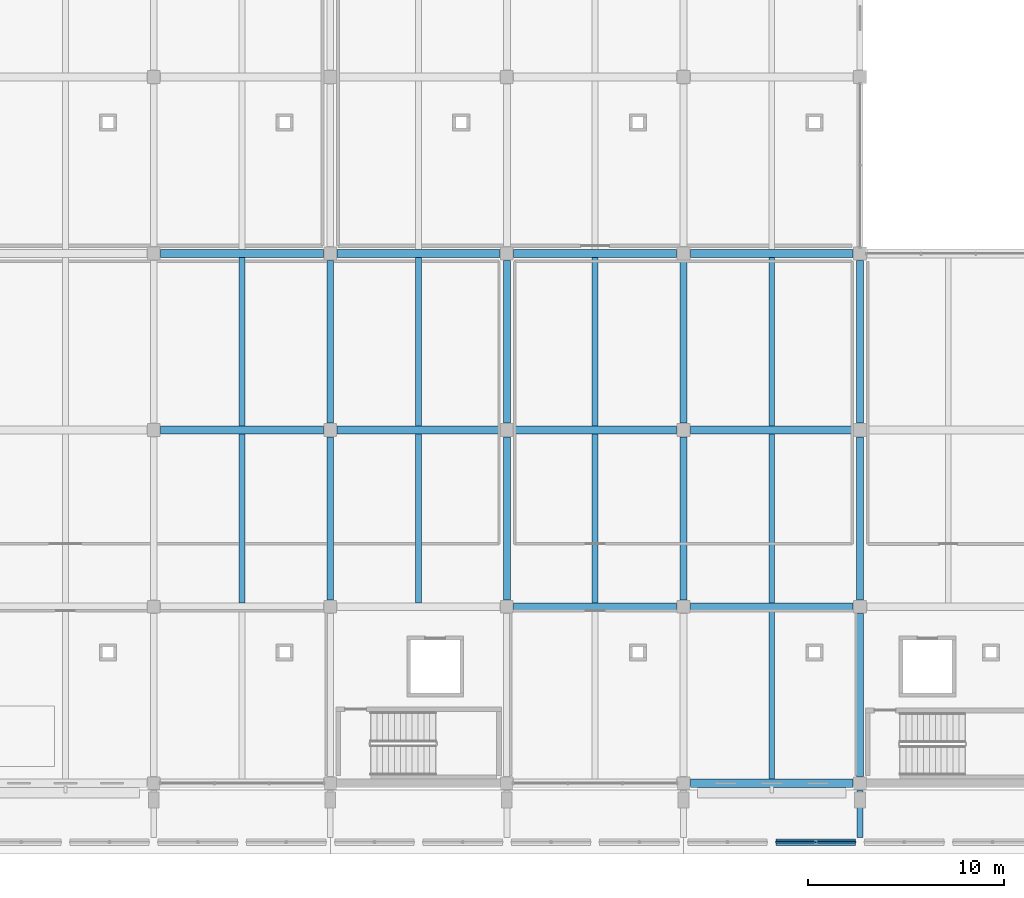
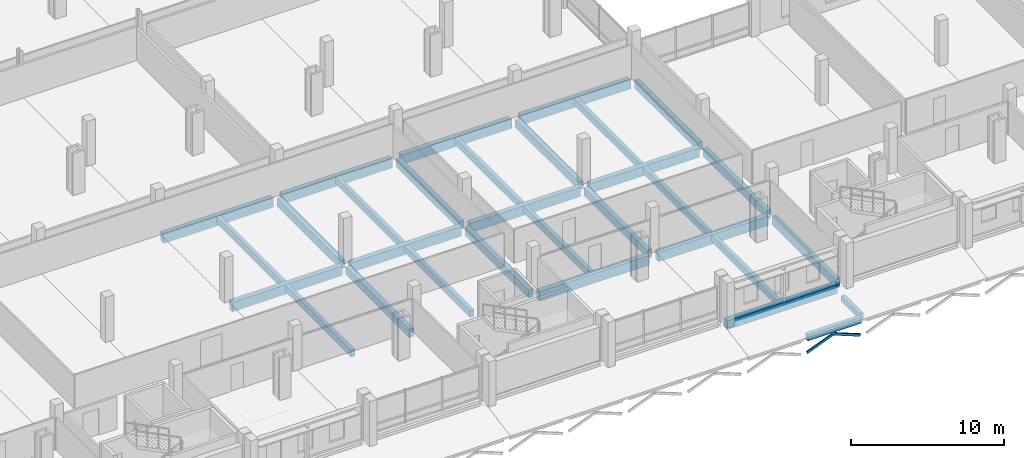
# One storey, part 33 of 132: 31 beams, 2 members.
"""IFC4 building model written with IfcOpenShell, lengths in metres."""

import ifcopenshell
import ifcopenshell.guid

model = None  # the IFC model being written
_history = None  # IfcOwnerHistory: only IFC2X3 demands one
_inside = {}  # id of a spatial element -> (the spatial element, [elements in it])
_under = {}  # id of a project, library or spatial element -> (it, [spatial elements below it])
_declared = {}  # id of a project -> (the project, [libraries it declares])
_typed = {}  # id of a type object -> (the type object, [elements of that type])
_made_of = {}  # id of a material, layer set ... -> (it, [elements and type objects made of it])


def new_model(schema):
    """Start an empty IFC model of exactly this schema.

    Asked for "IFC4X3", IfcOpenShell would pick the latest addendum, in which some entities
    have other attributes; the version numbers below select the first issue.
    IFC2X3 requires an IfcOwnerHistory on every rooted entity: one is made here for all.
    """
    global model, _history
    if schema == "IFC4X3":
        model = ifcopenshell.file(schema_version=(4, 3, 0, 0))
    else:
        model = ifcopenshell.file(schema=schema)
    _inside.clear()
    _under.clear()
    _declared.clear()
    _typed.clear()
    _made_of.clear()
    _history = None
    if model.schema == "IFC2X3":
        org = make("IfcOrganization", Name="unknown")
        user = make(
            "IfcPersonAndOrganization",
            ThePerson=make("IfcPerson", FamilyName="unknown"),
            TheOrganization=org,
        )
        app = make(
            "IfcApplication",
            ApplicationDeveloper=org,
            Version="unknown",
            ApplicationFullName="unknown",
            ApplicationIdentifier="unknown",
        )
        _history = make(
            "IfcOwnerHistory",
            OwningUser=user,
            OwningApplication=app,
            ChangeAction="ADDED",
            CreationDate=0,
        )
    return model


def make(cls, **values):
    """One entity of the class cls with the attributes given. An attribute that is None is left unset."""
    return model.create_entity(
        cls, **{name: value for name, value in values.items() if value is not None}
    )


def rooted(cls, **values):
    """An entity with a GlobalId (a new one), such as an element, a storey or a relation."""
    return make(cls, GlobalId=ifcopenshell.guid.new(), OwnerHistory=_history, **values)


def si_unit(unit_type, name, prefix=None):
    """IfcSIUnit, for example si_unit("LENGTHUNIT", "METRE", prefix="MILLI")."""
    return make("IfcSIUnit", UnitType=unit_type, Prefix=prefix, Name=name)


def assignment(units):
    """IfcUnitAssignment: the units of a project."""
    return None if units is None else make("IfcUnitAssignment", Units=units)


def point(xyz):
    """IfcCartesianPoint."""
    return None if xyz is None else make("IfcCartesianPoint", Coordinates=xyz)


def direction(xyz):
    """IfcDirection."""
    return None if xyz is None else make("IfcDirection", DirectionRatios=xyz)


def frame(location, z_axis=None, x_axis=None):
    """IfcAxis2Placement3D, a coordinate frame: its origin and axes. An axis left out is left unset."""
    return make(
        "IfcAxis2Placement3D",
        Location=point(location),
        Axis=direction(z_axis),
        RefDirection=direction(x_axis),
    )


def frame_2d(location, x_axis=None):
    """IfcAxis2Placement2D, a coordinate frame in the plane: its origin and x axis."""
    return make(
        "IfcAxis2Placement2D", Location=point(location), RefDirection=direction(x_axis)
    )


def origin():
    """The frame at (0, 0, 0) with its axes left unset."""
    return frame((0.0, 0.0, 0.0))


def origin_2d():
    """The frame at (0, 0) in the plane with its x axis left unset."""
    return frame_2d((0.0, 0.0))


def place(relative_to, where):
    """IfcLocalPlacement: puts the frame where relative to a parent placement (None: the world)."""
    return make(
        "IfcLocalPlacement", PlacementRelTo=relative_to, RelativePlacement=where
    )


def context(
    kind, dimensions, precision=None, world=None, true_north=None, identifier=None
):
    """IfcGeometricRepresentationContext, for example the 3D "Model" context."""
    return make(
        "IfcGeometricRepresentationContext",
        ContextIdentifier=identifier,
        ContextType=kind,
        CoordinateSpaceDimension=dimensions,
        Precision=precision,
        WorldCoordinateSystem=world,
        TrueNorth=true_north,
    )


def subcontext(parent, identifier, kind, view, scale=None):
    """IfcGeometricRepresentationSubContext, for example "Body" below "Model"."""
    return make(
        "IfcGeometricRepresentationSubContext",
        ContextIdentifier=identifier,
        ContextType=kind,
        ParentContext=parent,
        TargetScale=scale,
        TargetView=view,
    )


def project(units=None, contexts=None):
    """IfcProject with its units and contexts."""
    return rooted(
        "IfcProject",
        Name="project",
        RepresentationContexts=contexts,
        UnitsInContext=assignment(units),
    )


def spatial(cls, under=None, at=None, **own):
    """A site, building, storey or space (cls), placed at a placement, below another one or the project."""
    s = rooted(cls, ObjectPlacement=at, **own)
    if under is not None:
        _under.setdefault(under.id(), (under, []))[1].append(s)
    return s


def profile(cls, at=None, kind="AREA", **sizes):
    """A parametric profile (cls). Its sizes go by their IFC names, for example OverallWidth=200.0."""
    return make(cls, ProfileType=kind, Position=at, **sizes)


def rectangle(**sizes):
    """IfcRectangleProfileDef."""
    return profile("IfcRectangleProfileDef", **sizes)


def hollow_rectangle(**sizes):
    """IfcRectangleHollowProfileDef."""
    return profile("IfcRectangleHollowProfileDef", **sizes)


def extrude(swept, where, along, depth):
    """IfcExtrudedAreaSolid: the profile swept, set in the frame where, extruded along a direction by depth."""
    return make(
        "IfcExtrudedAreaSolid",
        SweptArea=swept,
        Position=where,
        ExtrudedDirection=direction(along),
        Depth=depth,
    )


def shape(context_of_items, identifier, shape_type, items):
    """IfcShapeRepresentation: the items that make up one representation, for example the "Body"."""
    return make(
        "IfcShapeRepresentation",
        ContextOfItems=context_of_items,
        RepresentationIdentifier=identifier,
        RepresentationType=shape_type,
        Items=items,
    )


def material(Name=None, Category=None):
    """IfcMaterial."""
    return make("IfcMaterial", Name=Name, Category=Category)


def material_profile(
    of_material, cross_section, Name=None, Category=None, Priority=None
):
    """IfcMaterialProfile: a cross section and its material."""
    return make(
        "IfcMaterialProfile",
        Name=Name,
        Material=of_material,
        Profile=cross_section,
        Priority=Priority,
        Category=Category,
    )


def profile_set(profiles, Name=None, composite=None):
    """IfcMaterialProfileSet."""
    return make(
        "IfcMaterialProfileSet",
        Name=Name,
        MaterialProfiles=profiles,
        CompositeProfile=composite,
    )


def made_of(thing, what):
    """Note that an element or type object is made of a material, layer set ...; save() writes the relation."""
    if what is not None:
        _made_of.setdefault(what.id(), (what, []))[1].append(thing)
    return thing


def type_object(cls, material=None, **own):
    """A type object (cls), such as IfcWallType, which elements share."""
    return made_of(rooted(cls, **own), material)


def element(
    cls,
    number,
    at=None,
    inside=None,
    cuts=None,
    type_object=None,
    material=None,
    context=None,
    identifier="Body",
    shape_type=None,
    held_by="IfcProductDefinitionShape",
    body=None,
    shapes=None,
    **own,
):
    """One element of the class cls, such as IfcWall. Its Tag is "e" and its number.

    at: its placement. inside: the storey or other place that contains it. cuts: it is an
    opening in that element (IfcRelVoidsElement). A single representation is given by context,
    identifier, shape_type and body (its items); several are given by shapes. held_by: the class
    of the entity that holds the representations. save() writes the other relations.
    """
    e = rooted(cls, Tag="e%d" % number, ObjectPlacement=at, **own)
    if body is not None:
        shapes = [shape(context, identifier, shape_type, body)]
    if shapes is not None:
        e.Representation = make(held_by, Representations=shapes)
    if inside is not None:
        _inside.setdefault(inside.id(), (inside, []))[1].append(e)
    if cuts is not None:
        rooted(
            "IfcRelVoidsElement", RelatingBuildingElement=cuts, RelatedOpeningElement=e
        )
    if type_object is not None:
        _typed.setdefault(type_object.id(), (type_object, []))[1].append(e)
    return made_of(e, material)


def aggregate(whole, parts):
    """IfcRelAggregates: a whole, such as a stair, and the parts it consists of."""
    return rooted("IfcRelAggregates", RelatingObject=whole, RelatedObjects=parts)


def save(model, path):
    """Write the relations noted so far, then the file.

    IfcRelAggregates (storeys below a building ...), IfcRelContainedInSpatialStructure (elements
    in a storey), IfcRelDefinesByType, IfcRelAssociatesMaterial and IfcRelDeclares: one each for
    every whole, place, type object, material and project.
    """
    for whole, parts in _under.values():
        aggregate(whole, parts)
    for where, things in _inside.values():
        rooted(
            "IfcRelContainedInSpatialStructure",
            RelatedElements=things,
            RelatingStructure=where,
        )
    for kind, things in _typed.values():
        rooted("IfcRelDefinesByType", RelatedObjects=things, RelatingType=kind)
    for what, things in _made_of.values():
        rooted("IfcRelAssociatesMaterial", RelatedObjects=things, RelatingMaterial=what)
    for by, libraries in _declared.values():
        rooted("IfcRelDeclares", RelatingContext=by, RelatedDefinitions=libraries)
    model.write(path)


model = new_model("IFC4")

# Units and contexts
model_context = context("Model", 3, precision=1e-05, world=origin(), true_north=direction((0.0, 1.0)))
body_context = subcontext(model_context, "Body", "Model", "MODEL_VIEW")
ifc_project = project(units=[si_unit("LENGTHUNIT", "METRE"), si_unit("AREAUNIT", "SQUARE_METRE"), si_unit("VOLUMEUNIT", "CUBIC_METRE"), si_unit("PLANEANGLEUNIT", "RADIAN"), si_unit("MASSUNIT", "GRAM", prefix="KILO")], contexts=[model_context])

# Site, building, storey
site_placement = place(None, origin())
site = spatial("IfcSite", under=ifc_project, at=site_placement, CompositionType="ELEMENT")
building_placement = place(site_placement, origin())
building = spatial("IfcBuilding", under=site, at=building_placement, Name="Tharagai Park Tramway Depot", CompositionType="ELEMENT")
storey_placement = place(building_placement, frame((0.0, 0.0, 4.800048828125)))
storey = spatial("IfcBuildingStorey", under=building, at=storey_placement, Name="L01", CompositionType="ELEMENT", Elevation=4.800048828125)

# Beams
ifc_material_1 = material(Name="Concrete M35", Category="concrete")
ifc_material_profile_1 = material_profile(ifc_material_1, rectangle(XDim=0.35009765625, YDim=0.64990234375, at=origin_2d()), Name="RC 350x650")
ifc_profile_set_1 = profile_set([ifc_material_profile_1], Name="Concrete M35")
beam_type_1 = type_object("IfcBeamType", Name="BM-13", PredefinedType="BEAM", material=ifc_profile_set_1)
for number, where, z_axis, x_axis, name in (
    (1, (36.0, 9.35009765625, -0.574951171875), (0.0, 1.0, 0.0), (-1.0, 0.0, 0.0), "L01 Grid Beam BM-13"),
    (2, (36.0, 18.35009765625, -0.574951171875), (0.0, 1.0, 0.0), (-1.0, 0.0, 0.0), "L01 Grid Beam BM-13"),
    (3, (45.0, 9.35009765625, -0.574951171875), (0.0, 1.0, 0.0), (-1.0, 0.0, 0.0), "L01 Grid Beam BM-13"),
    (4, (45.0, 18.35009765625, -0.574951171875), (0.0, 1.0, 0.0), (-1.0, 0.0, 0.0), "L01 Grid Beam BM-13"),
    (5, (54.0, 9.35009765625, -0.574951171875), (0.0, 1.0, 0.0), (-1.0, 0.0, 0.0), "L01 Grid Beam BM-13"),
    (6, (54.0, 18.35009765625, -0.574951171875), (0.0, 1.0, 0.0), (-1.0, 0.0, 0.0), "L01 Grid Beam BM-13"),
    (7, (63.0, 0.35009765625, -0.574951171875), (0.0, 1.0, 0.0), (-1.0, 0.0, 0.0), "L01 Grid Beam BM-13"),
    (8, (63.0, 9.35009765625, -0.574951171875), (0.0, 1.0, 0.0), (-1.0, 0.0, 0.0), "L01 Grid Beam BM-13"),
    (9, (63.0, 18.35009765625, -0.574951171875), (0.0, 1.0, 0.0), (-1.0, 0.0, 0.0), "L01 Grid Beam BM-13"),
):
    element("IfcBeam", number, at=place(storey_placement, frame(where, z_axis=z_axis, x_axis=x_axis)), inside=storey, type_object=beam_type_1, Name=name, PredefinedType="BEAM", context=body_context, shape_type="SweptSolid", body=[
        extrude(rectangle(XDim=0.35009765625, YDim=0.64990234375, at=origin_2d()), origin(), (0.0, 0.0, 1.0), 8.2998046875),
    ])
ifc_material_profile_2 = material_profile(ifc_material_1, rectangle(XDim=0.300048828125, YDim=0.449951171875, at=origin_2d()), Name="RC 300x450")
ifc_profile_set_2 = profile_set([ifc_material_profile_2], Name="Concrete M35")
beam_type_2 = type_object("IfcBeamType", Name="BM-14", PredefinedType="BEAM", material=ifc_profile_set_2)
beam_1_placement = place(storey_placement, frame((63.0, -2.760009765625, -1.344970703125), z_axis=(0.0, 1.0, 0.0), x_axis=(-1.0, 0.0, 0.0)))
element("IfcBeam", 10, at=beam_1_placement, inside=storey, type_object=beam_type_2, Name="Gothic Cloister Transverse Tie Beam BM-14", PredefinedType="BEAM", context=body_context, shape_type="SweptSolid", body=[
    extrude(rectangle(XDim=0.300048828125, YDim=0.449951171875, at=origin_2d()), origin(), (0.0, 0.0, 1.0), 2.39990234375),
])
ifc_material_profile_3 = material_profile(ifc_material_1, rectangle(XDim=0.39990234375, YDim=0.75, at=origin_2d()), Name="RC 400x750")
ifc_profile_set_3 = profile_set([ifc_material_profile_3], Name="Concrete M35")
beam_type_3 = type_object("IfcBeamType", Name="BM-19", PredefinedType="BEAM", material=ifc_profile_set_3)
for number, where, z_axis, x_axis, name in (
    (11, (45.35009765625, 9.0, -0.625), (1.0, 0.0, 0.0), (0.0, 1.0, 0.0), "L01 Grid Beam BM-19"),
    (12, (54.35009765625, 9.0, -0.625), (1.0, 0.0, 0.0), (0.0, 1.0, 0.0), "L01 Grid Beam BM-19"),
    (13, (27.35009765625, 18.0, -0.625), (1.0, 0.0, 0.0), (0.0, 1.0, 0.0), "L01 Grid Beam BM-19"),
    (14, (36.35009765625, 18.0, -0.625), (1.0, 0.0, 0.0), (0.0, 1.0, 0.0), "L01 Grid Beam BM-19"),
    (15, (45.35009765625, 18.0, -0.625), (1.0, 0.0, 0.0), (0.0, 1.0, 0.0), "L01 Grid Beam BM-19"),
    (16, (54.35009765625, 18.0, -0.625), (1.0, 0.0, 0.0), (0.0, 1.0, 0.0), "L01 Grid Beam BM-19"),
    (17, (27.35009765625, 27.0, -0.625), (1.0, 0.0, 0.0), (0.0, 1.0, 0.0), "L01 Grid Beam BM-19"),
    (18, (36.35009765625, 27.0, -0.625), (1.0, 0.0, 0.0), (0.0, 1.0, 0.0), "L01 Grid Beam BM-19"),
    (19, (45.35009765625, 27.0, -0.625), (1.0, 0.0, 0.0), (0.0, 1.0, 0.0), "L01 Grid Beam BM-19"),
    (20, (54.35009765625, 27.0, -0.625), (1.0, 0.0, 0.0), (0.0, 1.0, 0.0), "L01 Grid Beam BM-19"),
):
    element("IfcBeam", number, at=place(storey_placement, frame(where, z_axis=z_axis, x_axis=x_axis)), inside=storey, type_object=beam_type_3, Name=name, PredefinedType="BEAM", context=body_context, shape_type="SweptSolid", body=[
        extrude(rectangle(XDim=0.39990234375, YDim=0.75, at=origin_2d()), origin(), (0.0, 0.0, 1.0), 8.2998046875),
    ])
ifc_material_profile_4 = material_profile(ifc_material_1, rectangle(XDim=0.300048828125, YDim=0.550048828125, at=origin_2d()), Name="RC 300x550")
ifc_profile_set_4 = profile_set([ifc_material_profile_4], Name="Concrete M35")
beam_type_4 = type_object("IfcBeamType", Name="JT-06", PredefinedType="JOIST", material=ifc_profile_set_4)
for number, where, z_axis, x_axis, name in (
    (21, (31.5, 9.199951171875, -0.525146484375), (0.0, 1.0, 0.0), (-1.0, 0.0, 0.0), "L01 Secondary Joist JT-06"),
    (22, (31.5, 18.199951171875, -0.525146484375), (0.0, 1.0, 0.0), (-1.0, 0.0, 0.0), "L01 Secondary Joist JT-06"),
    (23, (40.5, 9.199951171875, -0.525146484375), (0.0, 1.0, 0.0), (-1.0, 0.0, 0.0), "L01 Secondary Joist JT-06"),
    (24, (40.5, 18.199951171875, -0.525146484375), (0.0, 1.0, 0.0), (-1.0, 0.0, 0.0), "L01 Secondary Joist JT-06"),
    (25, (49.5, 9.199951171875, -0.525146484375), (0.0, 1.0, 0.0), (-1.0, 0.0, 0.0), "L01 Secondary Joist JT-06"),
    (26, (49.5, 18.199951171875, -0.525146484375), (0.0, 1.0, 0.0), (-1.0, 0.0, 0.0), "L01 Secondary Joist JT-06"),
):
    element("IfcBeam", number, at=place(storey_placement, frame(where, z_axis=z_axis, x_axis=x_axis)), inside=storey, type_object=beam_type_4, Name=name, PredefinedType="JOIST", context=body_context, shape_type="SweptSolid", body=[
        extrude(rectangle(XDim=0.300048828125, YDim=0.550048828125, at=origin_2d()), origin(), (0.0, 0.0, 1.0), 8.60009765625),
    ])
beam_2_placement = place(storey_placement, frame((58.5, 0.22509765625, -0.525146484375), z_axis=(0.0, 1.0, 0.0), x_axis=(-1.0, 0.0, 0.0)))
element("IfcBeam", 27, at=beam_2_placement, inside=storey, type_object=beam_type_4, Name="L01 Secondary Joist JT-06", PredefinedType="JOIST", context=body_context, shape_type="SweptSolid", body=[
    extrude(rectangle(XDim=0.300048828125, YDim=0.550048828125, at=origin_2d()), origin(), (0.0, 0.0, 1.0), 8.574951171875),
])
for number, where, z_axis, x_axis, name in (
    (28, (58.5, 9.199951171875, -0.525146484375), (0.0, 1.0, 0.0), (-1.0, 0.0, 0.0), "L01 Secondary Joist JT-06"),
    (29, (58.5, 18.199951171875, -0.525146484375), (0.0, 1.0, 0.0), (-1.0, 0.0, 0.0), "L01 Secondary Joist JT-06"),
):
    element("IfcBeam", number, at=place(storey_placement, frame(where, z_axis=z_axis, x_axis=x_axis)), inside=storey, type_object=beam_type_4, Name=name, PredefinedType="JOIST", context=body_context, shape_type="SweptSolid", body=[
        extrude(rectangle(XDim=0.300048828125, YDim=0.550048828125, at=origin_2d()), origin(), (0.0, 0.0, 1.0), 8.60009765625),
    ])

# Members
ifc_material_2 = material(Name="Steel E350", Category="steel")
ifc_material_profile_5 = material_profile(ifc_material_2, hollow_rectangle(XDim=0.10009765625, YDim=0.199951171875, WallThickness=0.006103515625, InnerFilletRadius=0.006103515625, OuterFilletRadius=0.011962890625, at=origin_2d()), Name="RHS 200x100x6")
ifc_profile_set_5 = profile_set([ifc_material_profile_5], Name="Steel E350")
member_type = type_object("IfcMemberType", Name="RF-04", PredefinedType="RAFTER", material=ifc_profile_set_5)
for number, where, z_axis, x_axis, name in (
    (30, (58.739990234375, -3.0, -2.6201171875), (0.929766353739, 0.0, 0.368150142545), (0.0, 1.0, 0.0), "Pointed Gothic Arcade Arch Rib Left RF-04"),
    (31, (62.760009765625, -3.0, -2.6201171875), (-0.929766353739, 0.0, 0.368150142545), (0.0, -1.0, 0.0), "Pointed Gothic Arcade Arch Rib Right RF-04"),
):
    element("IfcMember", number, at=place(storey_placement, frame(where, z_axis=z_axis, x_axis=x_axis)), inside=storey, type_object=member_type, Name=name, PredefinedType="RAFTER", context=body_context, shape_type="SweptSolid", body=[
        extrude(hollow_rectangle(XDim=0.10009765625, YDim=0.199951171875, WallThickness=0.006103515625, InnerFilletRadius=0.006103515625, OuterFilletRadius=0.011962890625, at=origin_2d()), origin(), (0.0, 0.0, 1.0), 2.118896484375),
    ])

# Beams
ifc_material_profile_6 = material_profile(ifc_material_1, rectangle(XDim=0.449951171875, YDim=0.699951171875, at=origin_2d()), Name="RC 450x700")
ifc_profile_set_6 = profile_set([ifc_material_profile_6], Name="Concrete M35")
beam_type_5 = type_object("IfcBeamType", Name="SP-01", PredefinedType="SPANDREL", material=ifc_profile_set_6)
beam_3_placement = place(storey_placement, frame((54.35009765625, 0.0, -0.60009765625), z_axis=(1.0, 0.0, 0.0), x_axis=(0.0, 1.0, 0.0)))
element("IfcBeam", 32, at=beam_3_placement, inside=storey, type_object=beam_type_5, Name="L01 Grid Beam SP-01", PredefinedType="SPANDREL", context=body_context, shape_type="SweptSolid", body=[
    extrude(rectangle(XDim=0.449951171875, YDim=0.699951171875, at=origin_2d()), origin(), (0.0, 0.0, 1.0), 8.2998046875),
])
ifc_material_profile_7 = material_profile(ifc_material_1, rectangle(XDim=0.320068359375, YDim=0.47998046875, at=origin_2d()), Name="RC 320x480")
ifc_profile_set_7 = profile_set([ifc_material_profile_7], Name="Concrete M35")
beam_type_6 = type_object("IfcBeamType", Name="SP-05", PredefinedType="SPANDREL", material=ifc_profile_set_7)
beam_4_placement = place(storey_placement, frame((58.72998046875, -3.0, -1.360107421875), z_axis=(1.0, 0.0, 0.0), x_axis=(0.0, 1.0, 0.0)))
element("IfcBeam", 33, at=beam_4_placement, inside=storey, type_object=beam_type_6, Name="Gothic Cloister Arcade Spandrel Lintel SP-05", PredefinedType="SPANDREL", context=body_context, shape_type="SweptSolid", body=[
    extrude(rectangle(XDim=0.320068359375, YDim=0.47998046875, at=origin_2d()), origin(), (0.0, 0.0, 1.0), 4.0400390625),
])

save(model, "model.ifc")
